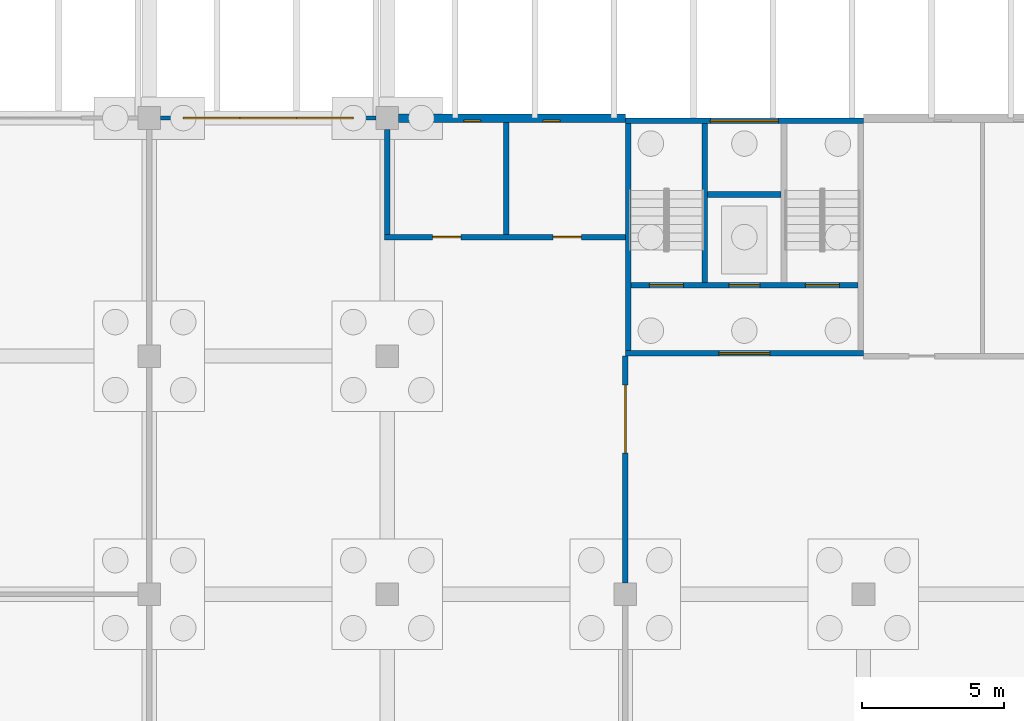
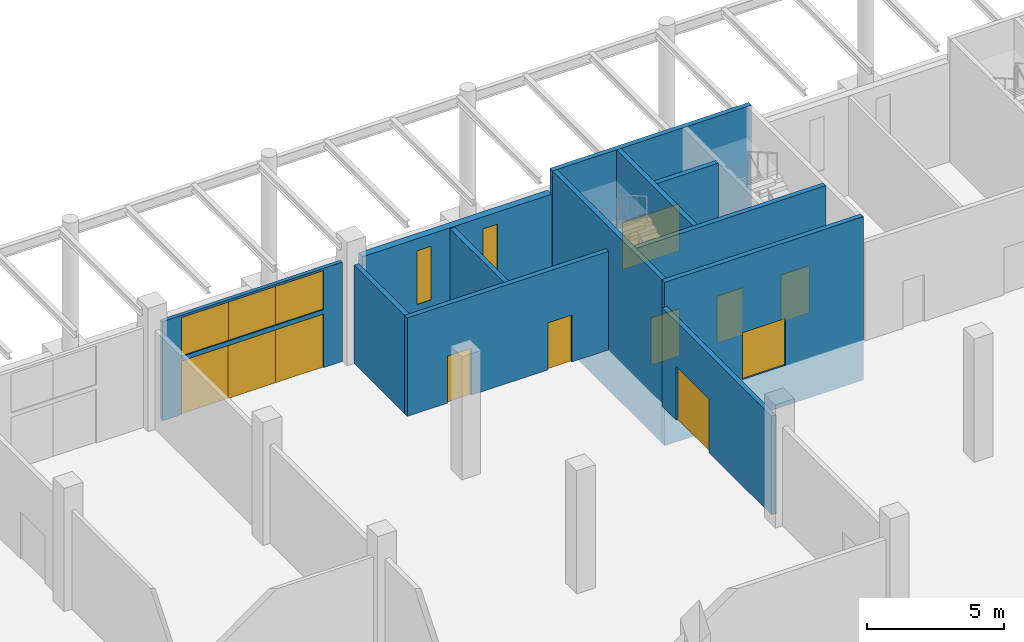
# One storey, part 39 of 82: 12 walls, 11 doors, 5 windows, 16 openings.
"""IFC4 building model written with IfcOpenShell, lengths in metres."""

from ifc_helpers import new_model, si_unit, direction, frame, frame_2d, origin, place, context, subcontext, project, spatial, rectangle, extrude, material, layer, layer_set, type_object, element, fill, save


model = new_model("IFC4")

# Units and contexts
model_context = context("Model", 3, precision=1e-05, world=origin(), true_north=direction((0.0, 1.0)))
body_context = subcontext(model_context, "Body", "Model", "MODEL_VIEW")
ifc_project = project(units=[si_unit("LENGTHUNIT", "METRE"), si_unit("AREAUNIT", "SQUARE_METRE"), si_unit("VOLUMEUNIT", "CUBIC_METRE"), si_unit("PLANEANGLEUNIT", "RADIAN"), si_unit("MASSUNIT", "GRAM", prefix="KILO")], contexts=[model_context])

# Site, building, storey
site_placement = place(None, origin())
site = spatial("IfcSite", under=ifc_project, at=site_placement, CompositionType="ELEMENT")
building_placement = place(site_placement, origin())
building = spatial("IfcBuilding", under=site, at=building_placement, Name="Almond Square Museum", CompositionType="ELEMENT")
storey_placement = place(building_placement, origin())
storey = spatial("IfcBuildingStorey", under=building, at=storey_placement, Name="L00", CompositionType="ELEMENT", Elevation=0.0)

# Wall, openings, windows
ifc_material_1 = material(Name="Concrete C30/37", Category="concrete")
ifc_layer_1 = layer(ifc_material_1, 0.300048828125)
ifc_layer_set_1 = layer_set([ifc_layer_1], Name="Concrete C30/37")
wall_type_1 = type_object("IfcWallType", Name="Cast concrete wall 300 C30/37 behind louvre skin", PredefinedType="SOLIDWALL", material=ifc_layer_set_1)
wall_1_placement = place(storey_placement, frame((115.60009765625, 109.199951171875, 0.0), z_axis=(0.0, 0.0, 1.0), x_axis=(1.0, 0.0, 0.0)))
wall_1 = element("IfcWall", 1, at=wall_1_placement, inside=storey, type_object=wall_type_1, Name="External wall W1 V1 L00 N02", PredefinedType="SOLIDWALL", context=body_context, shape_type="SweptSolid", body=[
    extrude(rectangle(XDim=8.0, YDim=0.300048828125, at=frame_2d((4.0, 0.0))), origin(), (0.0, 0.0, 1.0), 4.43994140625),
])
opening_1_placement = place(wall_1_placement, frame((2.300048828125, 0.0, 1.5)))
opening_1 = element("IfcOpeningElement", 2, at=opening_1_placement, cuts=wall_1, Name="Opening W0093", PredefinedType="OPENING", context=body_context, shape_type="SweptSolid", body=[
    extrude(rectangle(XDim=0.60009765625, YDim=2.39990234375, at=frame_2d((0.300048828125, 1.199951171875))), frame((0.0, 0.159912109375, 0.0), z_axis=(0.0, -1.0, 0.0), x_axis=(1.0, 0.0, 0.0)), (0.0, 0.0, 1.0), 0.320068359375),
])
opening_2_placement = place(wall_1_placement, frame((5.10009765625, 0.0, 1.5)))
opening_2 = element("IfcOpeningElement", 3, at=opening_2_placement, cuts=wall_1, Name="Opening W0094", PredefinedType="OPENING", context=body_context, shape_type="SweptSolid", body=[
    extrude(rectangle(XDim=0.60009765625, YDim=2.39990234375, at=frame_2d((0.300048828125, 1.199951171875))), frame((0.0, 0.159912109375, 0.0), z_axis=(0.0, -1.0, 0.0), x_axis=(1.0, 0.0, 0.0)), (0.0, 0.0, 1.0), 0.320068359375),
])
ifc_material_2 = material(Name="Anodised aluminium louvre and laminated glass", Category="aluminium")
window_type_1 = type_object("IfcWindowType", Name="Slot window with storm louvre", PartitioningType="SINGLE_PANEL", PredefinedType="WINDOW", material=ifc_material_2)
window_1_placement = place(opening_1_placement, origin())
window_1 = element("IfcWindow", 4, at=window_1_placement, inside=storey, type_object=window_type_1, Name="Slot window with storm louvre W0093", OverallHeight=2.39990234375, OverallWidth=0.60009765625, PartitioningType="SINGLE_PANEL", PredefinedType="WINDOW", context=body_context, shape_type="SweptSolid", body=[
    extrude(rectangle(XDim=0.60009765625, YDim=2.39990234375, at=frame_2d((0.300048828125, 1.199951171875))), frame((0.0, -0.070068359375, 0.0), z_axis=(0.0, -1.0, 0.0), x_axis=(1.0, 0.0, 0.0)), (0.0, 0.0, 1.0), 0.06005859375),
])
fill(opening_1, window_1)
window_2_placement = place(opening_2_placement, origin())
window_2 = element("IfcWindow", 5, at=window_2_placement, inside=storey, type_object=window_type_1, Name="Slot window with storm louvre W0094", OverallHeight=2.39990234375, OverallWidth=0.60009765625, PartitioningType="SINGLE_PANEL", PredefinedType="WINDOW", context=body_context, shape_type="SweptSolid", body=[
    extrude(rectangle(XDim=0.60009765625, YDim=2.39990234375, at=frame_2d((0.300048828125, 1.199951171875))), frame((0.0, -0.070068359375, 0.0), z_axis=(0.0, -1.0, 0.0), x_axis=(1.0, 0.0, 0.0)), (0.0, 0.0, 1.0), 0.06005859375),
])
fill(opening_2, window_2)

# Walls
ifc_material_3 = material(Name="Concrete blockwork 200", Category="masonry")
ifc_layer_2 = layer(ifc_material_3, 0.199951171875)
ifc_layer_set_2 = layer_set([ifc_layer_2], Name="Concrete blockwork 200")
wall_type_2 = type_object("IfcWallType", Name="Fire partition 200 blockwork", PredefinedType="PARTITIONING", material=ifc_layer_set_2)
wall_2_placement = place(storey_placement, frame((119.39990234375, 105.10009765625, 0.0), z_axis=(0.0, 0.0, 1.0), x_axis=(0.0, 1.0, 0.0)))
element("IfcWall", 6, at=wall_2_placement, inside=storey, type_object=wall_type_2, Name="L00 partition 9", PredefinedType="PARTITIONING", context=body_context, shape_type="SweptSolid", body=[
    extrude(rectangle(XDim=3.949951171875, YDim=0.199951171875, at=frame_2d((1.97509765625, 0.0))), origin(), (0.0, 0.0, 1.0), 4.39990234375),
])
wall_3_placement = place(storey_placement, frame((115.199951171875, 105.10009765625, 0.0), z_axis=(0.0, 0.0, 1.0), x_axis=(0.0, 1.0, 0.0)))
element("IfcWall", 7, at=wall_3_placement, inside=storey, type_object=wall_type_2, Name="L00 partition 10", PredefinedType="PARTITIONING", context=body_context, shape_type="SweptSolid", body=[
    extrude(rectangle(XDim=3.699951171875, YDim=0.199951171875, at=frame_2d((1.85009765625, 0.0))), origin(), (0.0, 0.0, 1.0), 4.39990234375),
])

# Wall, openings, doors
wall_4_placement = place(storey_placement, frame((115.10009765625, 105.0, 0.0), z_axis=(0.0, 0.0, 1.0), x_axis=(1.0, 0.0, 0.0)))
wall_4 = element("IfcWall", 8, at=wall_4_placement, inside=storey, type_object=wall_type_2, Name="L00 partition 11", PredefinedType="PARTITIONING", context=body_context, shape_type="SweptSolid", body=[
    extrude(rectangle(XDim=8.5, YDim=0.199951171875, at=frame_2d((4.25, 0.0))), origin(), (0.0, 0.0, 1.0), 4.39990234375),
])
opening_3_placement = place(wall_4_placement, frame((1.699951171875, 0.0, 0.0)))
opening_3 = element("IfcOpeningElement", 9, at=opening_3_placement, cuts=wall_4, Name="Opening D0103", PredefinedType="OPENING", context=body_context, shape_type="SweptSolid", body=[
    extrude(rectangle(XDim=1.0, YDim=2.10009765625, at=frame_2d((0.5, 1.050048828125))), frame((0.0, 0.10986328125, 0.0), z_axis=(0.0, -1.0, 0.0), x_axis=(1.0, 0.0, 0.0)), (0.0, 0.0, 1.0), 0.219970703125),
])
opening_4_placement = place(wall_4_placement, frame((5.949951171875, 0.0, 0.0)))
opening_4 = element("IfcOpeningElement", 10, at=opening_4_placement, cuts=wall_4, Name="Opening D0104", PredefinedType="OPENING", context=body_context, shape_type="SweptSolid", body=[
    extrude(rectangle(XDim=1.0, YDim=2.10009765625, at=frame_2d((0.5, 1.050048828125))), frame((0.0, 0.10986328125, 0.0), z_axis=(0.0, -1.0, 0.0), x_axis=(1.0, 0.0, 0.0)), (0.0, 0.0, 1.0), 0.219970703125),
])
ifc_material_4 = material(Name="Steel", Category="steel")
door_type_1 = type_object("IfcDoorType", Name="Fire door 1000 x 2100 FD60 single", OperationType="NOTDEFINED", PredefinedType="DOOR", material=ifc_material_4)
door_1_placement = place(opening_3_placement, origin())
door_1 = element("IfcDoor", 11, at=door_1_placement, inside=storey, type_object=door_type_1, Name="L00 door Accessible WC 1 to Hall Lobby", OperationType="SINGLE_SWING_RIGHT", OverallHeight=2.10009765625, OverallWidth=1.0, PredefinedType="DOOR", context=body_context, shape_type="SweptSolid", body=[
    extrude(rectangle(XDim=1.0, YDim=2.10009765625, at=frame_2d((0.5, 1.050048828125))), frame((0.0, 0.02490234375, 0.0), z_axis=(0.0, -1.0, 0.0), x_axis=(1.0, 0.0, 0.0)), (0.0, 0.0, 1.0), 0.050048828125),
])
fill(opening_3, door_1)
door_2_placement = place(opening_4_placement, origin())
door_2 = element("IfcDoor", 12, at=door_2_placement, inside=storey, type_object=door_type_1, Name="L00 door Cleaners' Store 1 to Hall Lobby", OperationType="SINGLE_SWING_RIGHT", OverallHeight=2.10009765625, OverallWidth=1.0, PredefinedType="DOOR", context=body_context, shape_type="SweptSolid", body=[
    extrude(rectangle(XDim=1.0, YDim=2.10009765625, at=frame_2d((0.5, 1.050048828125))), frame((0.0, 0.02490234375, 0.0), z_axis=(0.0, -1.0, 0.0), x_axis=(1.0, 0.0, 0.0)), (0.0, 0.0, 1.0), 0.050048828125),
])
fill(opening_4, door_2)

# Wall, opening, door
wall_5_placement = place(storey_placement, frame((123.60009765625, 92.800048828125, 0.0), z_axis=(0.0, 0.0, 1.0), x_axis=(0.0, 1.0, 0.0)))
wall_5 = element("IfcWall", 13, at=wall_5_placement, inside=storey, type_object=wall_type_2, Name="L00 partition 22", PredefinedType="PARTITIONING", context=body_context, shape_type="SweptSolid", body=[
    extrude(rectangle(XDim=8.0, YDim=0.199951171875, at=frame_2d((4.0, 0.0))), origin(), (0.0, 0.0, 1.0), 4.39990234375),
])
opening_5_placement = place(wall_5_placement, frame((4.574951171875, 0.0, 0.0)))
opening_5 = element("IfcOpeningElement", 14, at=opening_5_placement, cuts=wall_5, Name="Opening D0143", PredefinedType="OPENING", context=body_context, shape_type="SweptSolid", body=[
    extrude(rectangle(XDim=2.39990234375, YDim=2.39990234375, at=frame_2d((1.199951171875, 1.199951171875))), frame((0.0, 0.10986328125, 0.0), z_axis=(0.0, -1.0, 0.0), x_axis=(1.0, 0.0, 0.0)), (0.0, 0.0, 1.0), 0.219970703125),
])
ifc_material_5 = material(Name="Steel", Category="steel")
door_type_2 = type_object("IfcDoorType", Name="Fire door 2400 x 2400 FD60 double", OperationType="NOTDEFINED", PredefinedType="DOOR", material=ifc_material_5)
door_3_placement = place(opening_5_placement, origin())
door_3 = element("IfcDoor", 15, at=door_3_placement, inside=storey, type_object=door_type_2, Name="L00 door Hall Lobby to Orientation Gallery", OperationType="DOUBLE_DOOR_SINGLE_SWING", OverallHeight=2.39990234375, OverallWidth=2.39990234375, PredefinedType="DOOR", context=body_context, shape_type="SweptSolid", body=[
    extrude(rectangle(XDim=2.39990234375, YDim=2.39990234375, at=frame_2d((1.199951171875, 1.199951171875))), frame((0.0, 0.02490234375, 0.0), z_axis=(0.0, -1.0, 0.0), x_axis=(1.0, 0.0, 0.0)), (0.0, 0.0, 1.0), 0.050048828125),
])
fill(opening_5, door_3)

# Wall, openings, windows, doors
ifc_material_6 = material(Name="Aluminium and laminated glass", Category="aluminium")
ifc_layer_3 = layer(ifc_material_6, 0.14990234375)
ifc_layer_set_3 = layer_set([ifc_layer_3], Name="Aluminium and laminated glass")
wall_type_3 = type_object("IfcWallType", Name="Glazed entrance screen 150", PredefinedType="ELEMENTEDWALL", material=ifc_layer_set_3)
wall_6_placement = place(storey_placement, frame((107.199951171875, 109.199951171875, 0.0), z_axis=(0.0, 0.0, 1.0), x_axis=(1.0, 0.0, 0.0)))
wall_6 = element("IfcWall", 16, at=wall_6_placement, inside=storey, type_object=wall_type_3, Name="External wall W6 V1 L00 N03", PredefinedType="ELEMENTEDWALL", context=body_context, shape_type="SweptSolid", body=[
    extrude(rectangle(XDim=7.60009765625, YDim=0.14990234375, at=frame_2d((3.800048828125, 0.0))), origin(), (0.0, 0.0, 1.0), 4.43994140625),
])
opening_6_placement = place(wall_6_placement, frame((0.800048828125, 0.0, 0.0)))
opening_6 = element("IfcOpeningElement", 17, at=opening_6_placement, cuts=wall_6, Name="Opening D010", PredefinedType="OPENING", context=body_context, shape_type="SweptSolid", body=[
    extrude(rectangle(XDim=2.0, YDim=2.39990234375, at=frame_2d((1.0, 1.199951171875))), frame((0.0, 0.0849609375, 0.0), z_axis=(0.0, -1.0, 0.0), x_axis=(1.0, 0.0, 0.0)), (0.0, 0.0, 1.0), 0.169921875),
])
opening_7_placement = place(wall_6_placement, frame((0.800048828125, 0.0, 2.60009765625)))
opening_7 = element("IfcOpeningElement", 18, at=opening_7_placement, cuts=wall_6, Name="Opening W0095", PredefinedType="OPENING", context=body_context, shape_type="SweptSolid", body=[
    extrude(rectangle(XDim=2.0, YDim=1.739990234375, at=frame_2d((1.0, 0.8701171875))), frame((0.0, 0.0849609375, 0.0), z_axis=(0.0, -1.0, 0.0), x_axis=(1.0, 0.0, 0.0)), (0.0, 0.0, 1.0), 0.169921875),
])
opening_8_placement = place(wall_6_placement, frame((2.800048828125, 0.0, 0.0)))
opening_8 = element("IfcOpeningElement", 19, at=opening_8_placement, cuts=wall_6, Name="Opening D011", PredefinedType="OPENING", context=body_context, shape_type="SweptSolid", body=[
    extrude(rectangle(XDim=2.0, YDim=2.39990234375, at=frame_2d((1.0, 1.199951171875))), frame((0.0, 0.0849609375, 0.0), z_axis=(0.0, -1.0, 0.0), x_axis=(1.0, 0.0, 0.0)), (0.0, 0.0, 1.0), 0.169921875),
])
opening_9_placement = place(wall_6_placement, frame((2.800048828125, 0.0, 2.60009765625)))
opening_9 = element("IfcOpeningElement", 20, at=opening_9_placement, cuts=wall_6, Name="Opening W0096", PredefinedType="OPENING", context=body_context, shape_type="SweptSolid", body=[
    extrude(rectangle(XDim=2.0, YDim=1.739990234375, at=frame_2d((1.0, 0.8701171875))), frame((0.0, 0.0849609375, 0.0), z_axis=(0.0, -1.0, 0.0), x_axis=(1.0, 0.0, 0.0)), (0.0, 0.0, 1.0), 0.169921875),
])
opening_10_placement = place(wall_6_placement, frame((4.800048828125, 0.0, 0.0)))
opening_10 = element("IfcOpeningElement", 21, at=opening_10_placement, cuts=wall_6, Name="Opening D012", PredefinedType="OPENING", context=body_context, shape_type="SweptSolid", body=[
    extrude(rectangle(XDim=2.0, YDim=2.39990234375, at=frame_2d((1.0, 1.199951171875))), frame((0.0, 0.0849609375, 0.0), z_axis=(0.0, -1.0, 0.0), x_axis=(1.0, 0.0, 0.0)), (0.0, 0.0, 1.0), 0.169921875),
])
opening_11_placement = place(wall_6_placement, frame((4.800048828125, 0.0, 2.60009765625)))
opening_11 = element("IfcOpeningElement", 22, at=opening_11_placement, cuts=wall_6, Name="Opening W0097", PredefinedType="OPENING", context=body_context, shape_type="SweptSolid", body=[
    extrude(rectangle(XDim=2.0, YDim=1.739990234375, at=frame_2d((1.0, 0.8701171875))), frame((0.0, 0.0849609375, 0.0), z_axis=(0.0, -1.0, 0.0), x_axis=(1.0, 0.0, 0.0)), (0.0, 0.0, 1.0), 0.169921875),
])
ifc_material_7 = material(Name="Aluminium frame and laminated glass", Category="aluminium")
window_type_2 = type_object("IfcWindowType", Name="Entrance fanlight 2000 1740 high", PartitioningType="SINGLE_PANEL", PredefinedType="WINDOW", material=ifc_material_7)
window_3_placement = place(opening_7_placement, origin())
window_3 = element("IfcWindow", 23, at=window_3_placement, inside=storey, type_object=window_type_2, Name="Entrance fanlight 2000 W0095", OverallHeight=1.739990234375, OverallWidth=2.0, PartitioningType="SINGLE_PANEL", PredefinedType="WINDOW", context=body_context, shape_type="SweptSolid", body=[
    extrude(rectangle(XDim=2.0, YDim=1.739990234375, at=frame_2d((1.0, 0.8701171875))), frame((0.0, 0.030029296875, 0.0), z_axis=(0.0, -1.0, 0.0), x_axis=(1.0, 0.0, 0.0)), (0.0, 0.0, 1.0), 0.06005859375),
])
fill(opening_7, window_3)
window_4_placement = place(opening_9_placement, origin())
window_4 = element("IfcWindow", 24, at=window_4_placement, inside=storey, type_object=window_type_2, Name="Entrance fanlight 2000 W0096", OverallHeight=1.739990234375, OverallWidth=2.0, PartitioningType="SINGLE_PANEL", PredefinedType="WINDOW", context=body_context, shape_type="SweptSolid", body=[
    extrude(rectangle(XDim=2.0, YDim=1.739990234375, at=frame_2d((1.0, 0.8701171875))), frame((0.0, 0.030029296875, 0.0), z_axis=(0.0, -1.0, 0.0), x_axis=(1.0, 0.0, 0.0)), (0.0, 0.0, 1.0), 0.06005859375),
])
fill(opening_9, window_4)
window_5_placement = place(opening_11_placement, origin())
window_5 = element("IfcWindow", 25, at=window_5_placement, inside=storey, type_object=window_type_2, Name="Entrance fanlight 2000 W0097", OverallHeight=1.739990234375, OverallWidth=2.0, PartitioningType="SINGLE_PANEL", PredefinedType="WINDOW", context=body_context, shape_type="SweptSolid", body=[
    extrude(rectangle(XDim=2.0, YDim=1.739990234375, at=frame_2d((1.0, 0.8701171875))), frame((0.0, 0.030029296875, 0.0), z_axis=(0.0, -1.0, 0.0), x_axis=(1.0, 0.0, 0.0)), (0.0, 0.0, 1.0), 0.06005859375),
])
fill(opening_11, window_5)
ifc_material_8 = material(Name="Aluminium frame and laminated glass", Category="aluminium")
door_type_3 = type_object("IfcDoorType", Name="Glazed entrance door pair 2000 x 2400", OperationType="NOTDEFINED", PredefinedType="DOOR", material=ifc_material_8)
door_4_placement = place(opening_6_placement, origin())
door_4 = element("IfcDoor", 26, at=door_4_placement, inside=storey, type_object=door_type_3, Name="Hall Entrance door D010", OperationType="DOUBLE_DOOR_SINGLE_SWING", OverallHeight=2.39990234375, OverallWidth=2.0, PredefinedType="DOOR", context=body_context, shape_type="SweptSolid", body=[
    extrude(rectangle(XDim=2.0, YDim=2.39990234375, at=frame_2d((1.0, 1.199951171875))), frame((0.0, 0.02490234375, 0.0), z_axis=(0.0, -1.0, 0.0), x_axis=(1.0, 0.0, 0.0)), (0.0, 0.0, 1.0), 0.050048828125),
])
fill(opening_6, door_4)
door_5_placement = place(opening_8_placement, origin())
door_5 = element("IfcDoor", 27, at=door_5_placement, inside=storey, type_object=door_type_3, Name="Hall Entrance door D011", OperationType="DOUBLE_DOOR_SINGLE_SWING", OverallHeight=2.39990234375, OverallWidth=2.0, PredefinedType="DOOR", context=body_context, shape_type="SweptSolid", body=[
    extrude(rectangle(XDim=2.0, YDim=2.39990234375, at=frame_2d((1.0, 1.199951171875))), frame((0.0, 0.02490234375, 0.0), z_axis=(0.0, -1.0, 0.0), x_axis=(1.0, 0.0, 0.0)), (0.0, 0.0, 1.0), 0.050048828125),
])
fill(opening_8, door_5)
door_6_placement = place(opening_10_placement, origin())
door_6 = element("IfcDoor", 28, at=door_6_placement, inside=storey, type_object=door_type_3, Name="Hall Entrance door D012", OperationType="DOUBLE_DOOR_SINGLE_SWING", OverallHeight=2.39990234375, OverallWidth=2.0, PredefinedType="DOOR", context=body_context, shape_type="SweptSolid", body=[
    extrude(rectangle(XDim=2.0, YDim=2.39990234375, at=frame_2d((1.0, 1.199951171875))), frame((0.0, 0.02490234375, 0.0), z_axis=(0.0, -1.0, 0.0), x_axis=(1.0, 0.0, 0.0)), (0.0, 0.0, 1.0), 0.050048828125),
])
fill(opening_10, door_6)

# Wall, opening, door
ifc_material_9 = material(Name="Concrete C40/50", Category="concrete")
ifc_layer_4 = layer(ifc_material_9, 0.199951171875)
ifc_layer_set_4 = layer_set([ifc_layer_4], Name="Concrete C40/50")
wall_type_4 = type_object("IfcWallType", Name="RC shear wall 200 C40/50", PredefinedType="SHEAR", material=ifc_layer_set_4)
wall_7_placement = place(storey_placement, frame((123.60009765625, 100.89990234375, -1.800048828125), z_axis=(0.0, 0.0, 1.0), x_axis=(1.0, 0.0, 0.0)))
wall_7 = element("IfcWall", 29, at=wall_7_placement, inside=storey, type_object=wall_type_4, Name="Core H4 south wall L00", PredefinedType="SHEAR", context=body_context, shape_type="SweptSolid", body=[
    extrude(rectangle(XDim=8.39990234375, YDim=0.199951171875, at=frame_2d((4.199951171875, 0.0))), origin(), (0.0, 0.0, 1.0), 7.300048828125),
])
opening_12_placement = place(wall_7_placement, frame((3.300048828125, 0.0, 1.800048828125)))
opening_12 = element("IfcOpeningElement", 30, at=opening_12_placement, cuts=wall_7, Name="Opening D0167", PredefinedType="OPENING", context=body_context, shape_type="SweptSolid", body=[
    extrude(rectangle(XDim=1.800048828125, YDim=2.10009765625, at=frame_2d((0.89990234375, 1.050048828125))), frame((0.0, 0.10986328125, 0.0), z_axis=(0.0, -1.0, 0.0), x_axis=(1.0, 0.0, 0.0)), (0.0, 0.0, 1.0), 0.219970703125),
])
ifc_material_10 = material(Name="Steel", Category="steel")
door_type_4 = type_object("IfcDoorType", Name="Fire door 1800 x 2100 FD60 double", OperationType="NOTDEFINED", PredefinedType="DOOR", material=ifc_material_10)
door_7_placement = place(opening_12_placement, origin())
door_7 = element("IfcDoor", 31, at=door_7_placement, inside=storey, type_object=door_type_4, Name="L00 stair core H4 lobby door", OperationType="DOUBLE_DOOR_SINGLE_SWING", OverallHeight=2.10009765625, OverallWidth=1.800048828125, PredefinedType="DOOR", context=body_context, shape_type="SweptSolid", body=[
    extrude(rectangle(XDim=1.800048828125, YDim=2.10009765625, at=frame_2d((0.89990234375, 1.050048828125))), frame((0.0, 0.02490234375, 0.0), z_axis=(0.0, -1.0, 0.0), x_axis=(1.0, 0.0, 0.0)), (0.0, 0.0, 1.0), 0.050048828125),
])
fill(opening_12, door_7)

wall_8_placement = place(storey_placement, frame((123.60009765625, 109.10009765625, -1.800048828125), z_axis=(0.0, 0.0, 1.0), x_axis=(1.0, 0.0, 0.0)))
wall_8 = element("IfcWall", 32, at=wall_8_placement, inside=storey, type_object=wall_type_4, Name="Core H4 north wall L00", PredefinedType="SHEAR", context=body_context, shape_type="SweptSolid", body=[
    extrude(rectangle(XDim=8.39990234375, YDim=0.199951171875, at=frame_2d((4.199951171875, 0.0))), origin(), (0.0, 0.0, 1.0), 7.300048828125),
])
opening_13_placement = place(wall_8_placement, frame((3.001220703125, 0.0, 1.800048828125)))
opening_13 = element("IfcOpeningElement", 33, at=opening_13_placement, cuts=wall_8, Name="Opening D021", PredefinedType="OPENING", context=body_context, shape_type="SweptSolid", body=[
    extrude(rectangle(XDim=2.39990234375, YDim=2.10009765625, at=frame_2d((1.199951171875, 1.050048828125))), frame((0.0, 0.10986328125, 0.0), z_axis=(0.0, -1.0, 0.0), x_axis=(1.0, 0.0, 0.0)), (0.0, 0.0, 1.0), 0.219970703125),
])
ifc_material_11 = material(Name="Steel frame and steel leaf", Category="steel")
door_type_5 = type_object("IfcDoorType", Name="Stair exit door pair 2400 x 2100", OperationType="NOTDEFINED", PredefinedType="DOOR", material=ifc_material_11)
door_8_placement = place(opening_13_placement, origin())
door_8 = element("IfcDoor", 34, at=door_8_placement, inside=storey, type_object=door_type_5, Name="Stair Exit H4 door D021", OperationType="DOUBLE_DOOR_SINGLE_SWING", OverallHeight=2.10009765625, OverallWidth=2.39990234375, PredefinedType="DOOR", context=body_context, shape_type="SweptSolid", body=[
    extrude(rectangle(XDim=2.39990234375, YDim=2.10009765625, at=frame_2d((1.199951171875, 1.050048828125))), frame((0.0, 0.02490234375, 0.0), z_axis=(0.0, -1.0, 0.0), x_axis=(1.0, 0.0, 0.0)), (0.0, 0.0, 1.0), 0.050048828125),
])
fill(opening_13, door_8)

# Wall
wall_9_placement = place(storey_placement, frame((123.699951171875, 101.0, -1.800048828125), z_axis=(0.0, 0.0, 1.0), x_axis=(0.0, 1.0, 0.0)))
element("IfcWall", 35, at=wall_9_placement, inside=storey, type_object=wall_type_4, Name="Core H4 west wall L00", PredefinedType="SHEAR", context=body_context, shape_type="SweptSolid", body=[
    extrude(rectangle(XDim=8.0, YDim=0.199951171875, at=frame_2d((4.0, 0.0))), origin(), (0.0, 0.0, 1.0), 7.300048828125),
])

# Wall, openings, doors
wall_10_placement = place(storey_placement, frame((123.800048828125, 103.300048828125, -1.800048828125), z_axis=(0.0, 0.0, 1.0), x_axis=(1.0, 0.0, 0.0)))
wall_10 = element("IfcWall", 36, at=wall_10_placement, inside=storey, type_object=wall_type_4, Name="Core H4 lobby wall L00", PredefinedType="SHEAR", context=body_context, shape_type="SweptSolid", body=[
    extrude(rectangle(XDim=8.0, YDim=0.199951171875, at=frame_2d((4.0, 0.0))), origin(), (0.0, 0.0, 1.0), 7.300048828125),
])
opening_14_placement = place(wall_10_placement, frame((0.64990234375, 0.0, 1.800048828125)))
opening_14 = element("IfcOpeningElement", 37, at=opening_14_placement, cuts=wall_10, Name="Opening D0168", PredefinedType="OPENING", context=body_context, shape_type="SweptSolid", body=[
    extrude(rectangle(XDim=1.199951171875, YDim=2.10009765625, at=frame_2d((0.60009765625, 1.050048828125))), frame((0.0, 0.10986328125, 0.0), z_axis=(0.0, -1.0, 0.0), x_axis=(1.0, 0.0, 0.0)), (0.0, 0.0, 1.0), 0.219970703125),
])
opening_15_placement = place(wall_10_placement, frame((6.14990234375, 0.0, 1.800048828125)))
opening_15 = element("IfcOpeningElement", 38, at=opening_15_placement, cuts=wall_10, Name="Opening D0169", PredefinedType="OPENING", context=body_context, shape_type="SweptSolid", body=[
    extrude(rectangle(XDim=1.199951171875, YDim=2.10009765625, at=frame_2d((0.60009765625, 1.050048828125))), frame((0.0, 0.10986328125, 0.0), z_axis=(0.0, -1.0, 0.0), x_axis=(1.0, 0.0, 0.0)), (0.0, 0.0, 1.0), 0.219970703125),
])
opening_16_placement = place(wall_10_placement, frame((3.449951171875, 0.0, 1.800048828125)))
opening_16 = element("IfcOpeningElement", 39, at=opening_16_placement, cuts=wall_10, Name="Opening D0170", PredefinedType="OPENING", context=body_context, shape_type="SweptSolid", body=[
    extrude(rectangle(XDim=1.10009765625, YDim=2.10009765625, at=frame_2d((0.550048828125, 1.050048828125))), frame((0.0, 0.10986328125, 0.0), z_axis=(0.0, -1.0, 0.0), x_axis=(1.0, 0.0, 0.0)), (0.0, 0.0, 1.0), 0.219970703125),
])
ifc_material_12 = material(Name="Steel", Category="steel")
door_type_6 = type_object("IfcDoorType", Name="Fire door 1200 x 2100 FD120 stair", OperationType="NOTDEFINED", PredefinedType="DOOR", material=ifc_material_12)
door_9_placement = place(opening_14_placement, origin())
door_9 = element("IfcDoor", 40, at=door_9_placement, inside=storey, type_object=door_type_6, Name="L00 stair H4-1 door", OperationType="SINGLE_SWING_LEFT", OverallHeight=2.10009765625, OverallWidth=1.199951171875, PredefinedType="DOOR", context=body_context, shape_type="SweptSolid", body=[
    extrude(rectangle(XDim=1.199951171875, YDim=2.10009765625, at=frame_2d((0.60009765625, 1.050048828125))), frame((0.0, 0.02490234375, 0.0), z_axis=(0.0, -1.0, 0.0), x_axis=(1.0, 0.0, 0.0)), (0.0, 0.0, 1.0), 0.050048828125),
])
fill(opening_14, door_9)
door_10_placement = place(opening_15_placement, origin())
door_10 = element("IfcDoor", 41, at=door_10_placement, inside=storey, type_object=door_type_6, Name="L00 stair H4-2 door", OperationType="SINGLE_SWING_RIGHT", OverallHeight=2.10009765625, OverallWidth=1.199951171875, PredefinedType="DOOR", context=body_context, shape_type="SweptSolid", body=[
    extrude(rectangle(XDim=1.199951171875, YDim=2.10009765625, at=frame_2d((0.60009765625, 1.050048828125))), frame((0.0, 0.02490234375, 0.0), z_axis=(0.0, -1.0, 0.0), x_axis=(1.0, 0.0, 0.0)), (0.0, 0.0, 1.0), 0.050048828125),
])
fill(opening_15, door_10)
ifc_material_13 = material(Name="Stainless steel", Category="steel")
door_type_7 = type_object("IfcDoorType", Name="Lift landing door 1100 x 2100", OperationType="NOTDEFINED", PredefinedType="DOOR", material=ifc_material_13)
door_11_placement = place(opening_16_placement, origin())
door_11 = element("IfcDoor", 42, at=door_11_placement, inside=storey, type_object=door_type_7, Name="L00 lift PL-H4 landing door", OperationType="DOUBLE_DOOR_SLIDING", OverallHeight=2.10009765625, OverallWidth=1.10009765625, PredefinedType="DOOR", context=body_context, shape_type="SweptSolid", body=[
    extrude(rectangle(XDim=1.10009765625, YDim=2.10009765625, at=frame_2d((0.550048828125, 1.050048828125))), frame((0.0, 0.02490234375, 0.0), z_axis=(0.0, -1.0, 0.0), x_axis=(1.0, 0.0, 0.0)), (0.0, 0.0, 1.0), 0.050048828125),
])
fill(opening_16, door_11)

# Walls
wall_11_placement = place(storey_placement, frame((126.39990234375, 103.39990234375, -1.800048828125), z_axis=(0.0, 0.0, 1.0), x_axis=(0.0, 1.0, 0.0)))
element("IfcWall", 43, at=wall_11_placement, inside=storey, type_object=wall_type_4, Name="Core H4 partition wall L00", PredefinedType="SHEAR", context=body_context, shape_type="SweptSolid", body=[
    extrude(rectangle(XDim=5.60009765625, YDim=0.199951171875, at=frame_2d((2.800048828125, 0.0))), origin(), (0.0, 0.0, 1.0), 7.300048828125),
])
wall_12_placement = place(storey_placement, frame((126.5, 106.5, -1.800048828125), z_axis=(0.0, 0.0, 1.0), x_axis=(1.0, 0.0, 0.0)))
element("IfcWall", 44, at=wall_12_placement, inside=storey, type_object=wall_type_4, Name="Core H4 partition wall L00", PredefinedType="SHEAR", context=body_context, shape_type="SweptSolid", body=[
    extrude(rectangle(XDim=2.60009765625, YDim=0.199951171875, at=frame_2d((1.300048828125, 0.0))), origin(), (0.0, 0.0, 1.0), 7.300048828125),
])

save(model, "model.ifc")
